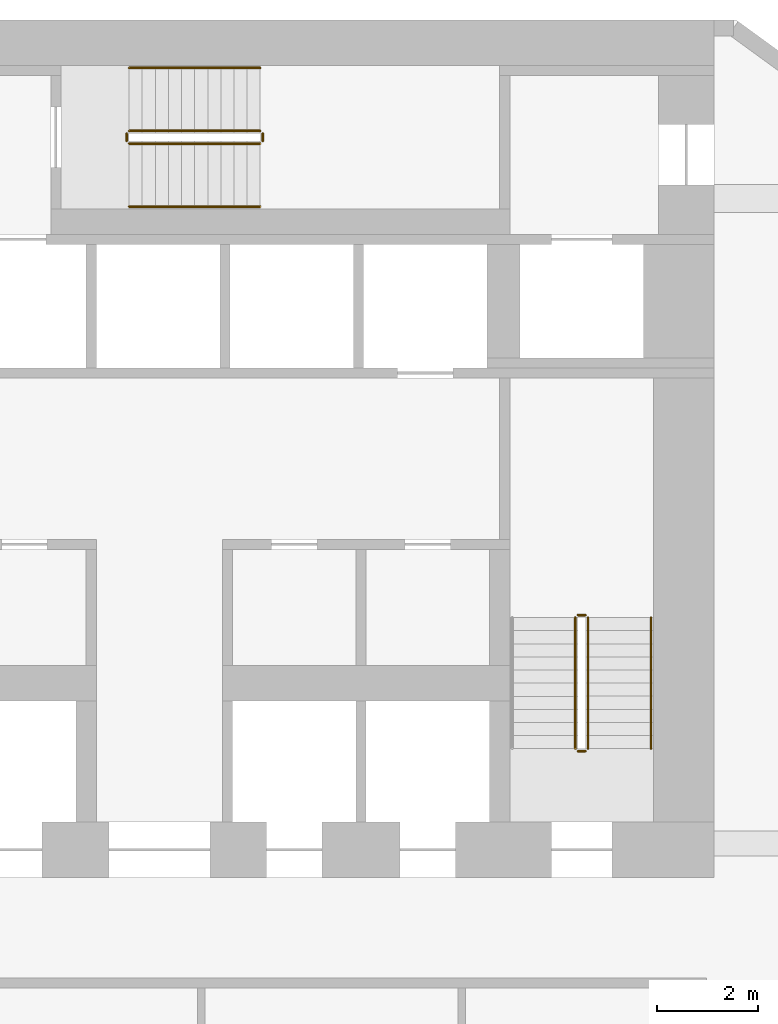
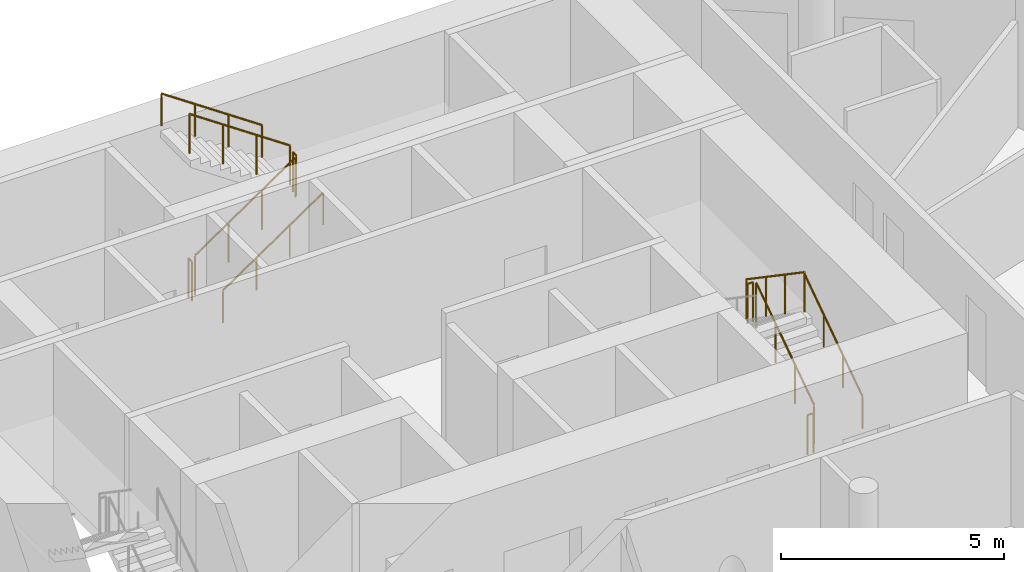
# One storey, part 9 of 9: 11 railings.
"""IFC4 building model written with IfcOpenShell, lengths in metres."""

from ifc_helpers import new_model, si_unit, direction, frame, origin, origin_2d, place, context, subcontext, project, spatial, circle, extrude, material, type_object, element, save


model = new_model("IFC4")

# Units and contexts
model_context = context("Model", 3, precision=1e-05, world=origin(), true_north=direction((0.0, 1.0)))
body_context = subcontext(model_context, "Body", "Model", "MODEL_VIEW")
ifc_project = project(units=[si_unit("LENGTHUNIT", "METRE"), si_unit("AREAUNIT", "SQUARE_METRE"), si_unit("VOLUMEUNIT", "CUBIC_METRE"), si_unit("PLANEANGLEUNIT", "RADIAN"), si_unit("MASSUNIT", "GRAM", prefix="KILO")], contexts=[model_context])

# Site, building, storey
site_placement = place(None, origin())
site = spatial("IfcSite", under=ifc_project, at=site_placement, CompositionType="ELEMENT")
building_placement = place(site_placement, origin())
building = spatial("IfcBuilding", under=site, at=building_placement, Name="White Candle Pilgrim Tower", CompositionType="ELEMENT")
storey_placement = place(building_placement, frame((0.0, 0.0, 94.699951171875)))
storey = spatial("IfcBuildingStorey", under=building, at=storey_placement, Name="L20", CompositionType="ELEMENT", Elevation=94.699951171875)

# Railings
ifc_material = material(Name="Stainless steel", Category="steel")
railing_type_1 = type_object("IfcRailingType", Name="Stair guard stainless steel 1100 mm", PredefinedType="GUARDRAIL", material=ifc_material)
railing_1_placement = place(storey_placement, frame((78.5, 73.550048828125, 0.17724609375)))
element("IfcRailing", 1, at=railing_1_placement, inside=storey, type_object=railing_type_1, Name="L20 ST2 stair guard 1", PredefinedType="GUARDRAIL", context=body_context, shape_type="SweptSolid", body=[
    extrude(circle(Radius=0.02392578125, at=origin_2d()), frame((0.0, 0.0, 1.076171875), z_axis=(0.0, 0.826215852431, 0.563353676824), x_axis=(-1.0, 0.0, 0.0)), (0.0, 0.0, 1.0), 3.146728515625),
    extrude(circle(Radius=0.02099609375, at=origin_2d()), origin(), (0.0, 0.0, 1.0), 1.052001953125),
    extrude(circle(Radius=0.02099609375, at=origin_2d()), frame((0.0, 0.86669921875, 0.5908203125)), (0.0, 0.0, 1.0), 1.052001953125),
    extrude(circle(Radius=0.02099609375, at=origin_2d()), frame((0.0, 1.733154296875, 1.181884765625)), (0.0, 0.0, 1.0), 1.052001953125),
    extrude(circle(Radius=0.02099609375, at=origin_2d()), frame((0.0, 2.599853515625, 1.772705078125)), (0.0, 0.0, 1.0), 1.052001953125),
])
railing_2_placement = place(storey_placement, frame((78.449951171875, 76.199951171875, 1.949951171875)))
element("IfcRailing", 2, at=railing_2_placement, inside=storey, type_object=railing_type_1, Name="L20 ST2 stair guard 2", PredefinedType="GUARDRAIL", context=body_context, shape_type="SweptSolid", body=[
    extrude(circle(Radius=0.02392578125, at=origin_2d()), frame((0.0, 0.0, 1.076171875), z_axis=(-1.0, 0.0, 0.0), x_axis=(0.0, -1.0, 0.0)), (0.0, 0.0, 1.0), 0.14990234375),
    extrude(circle(Radius=0.02099609375, at=origin_2d()), origin(), (0.0, 0.0, 1.0), 1.052001953125),
    extrude(circle(Radius=0.02099609375, at=origin_2d()), frame((-0.14990234375, 0.0, 0.0)), (0.0, 0.0, 1.0), 1.052001953125),
])
railing_3_placement = place(storey_placement, frame((78.25, 76.14990234375, 2.12744140625)))
element("IfcRailing", 3, at=railing_3_placement, inside=storey, type_object=railing_type_1, Name="L20 ST2 stair guard 3", PredefinedType="GUARDRAIL", context=body_context, shape_type="SweptSolid", body=[
    extrude(circle(Radius=0.02392578125, at=origin_2d()), frame((0.0, 0.0, 1.076171875), z_axis=(0.0, -0.826215852431, 0.563353676824), x_axis=(1.0, 0.0, 0.0)), (0.0, 0.0, 1.0), 3.146728515625),
    extrude(circle(Radius=0.02099609375, at=origin_2d()), origin(), (0.0, 0.0, 1.0), 1.052001953125),
    extrude(circle(Radius=0.02099609375, at=origin_2d()), frame((0.0, -0.86669921875, 0.5908203125)), (0.0, 0.0, 1.0), 1.052001953125),
    extrude(circle(Radius=0.02099609375, at=origin_2d()), frame((0.0, -1.733154296875, 1.181884765625)), (0.0, 0.0, 1.0), 1.052001953125),
    extrude(circle(Radius=0.02099609375, at=origin_2d()), frame((0.0, -2.599853515625, 1.772705078125)), (0.0, 0.0, 1.0), 1.052001953125),
])
railing_4_placement = place(storey_placement, frame((78.449951171875, 73.5, 0.0)))
element("IfcRailing", 4, at=railing_4_placement, inside=storey, type_object=railing_type_1, Name="L20 ST2 stair guard 4", PredefinedType="GUARDRAIL", context=body_context, shape_type="SweptSolid", body=[
    extrude(circle(Radius=0.02392578125, at=origin_2d()), frame((0.0, 0.0, 1.076171875), z_axis=(-1.0, 0.0, 0.0), x_axis=(0.0, -1.0, 0.0)), (0.0, 0.0, 1.0), 0.14990234375),
    extrude(circle(Radius=0.02099609375, at=origin_2d()), origin(), (0.0, 0.0, 1.0), 1.052001953125),
    extrude(circle(Radius=0.02099609375, at=origin_2d()), frame((-0.14990234375, 0.0, 0.0)), (0.0, 0.0, 1.0), 1.052001953125),
])
railing_5_placement = place(storey_placement, frame((69.39990234375, 85.550048828125, 0.17724609375)))
element("IfcRailing", 5, at=railing_5_placement, inside=storey, type_object=railing_type_1, Name="L20 ST3 stair guard 1", PredefinedType="GUARDRAIL", context=body_context, shape_type="SweptSolid", body=[
    extrude(circle(Radius=0.02392578125, at=origin_2d()), frame((0.0, 0.0, 1.076171875), z_axis=(0.826240473404, 0.0, 0.563317565952), x_axis=(0.0, 1.0, 0.0)), (0.0, 0.0, 1.0), 3.14697265625),
    extrude(circle(Radius=0.02099609375, at=origin_2d()), origin(), (0.0, 0.0, 1.0), 1.052001953125),
    extrude(circle(Radius=0.02099609375, at=origin_2d()), frame((0.86669921875, 0.0, 0.5908203125)), (0.0, 0.0, 1.0), 1.052001953125),
    extrude(circle(Radius=0.02099609375, at=origin_2d()), frame((1.7333984375, 0.0, 1.181884765625)), (0.0, 0.0, 1.0), 1.052001953125),
    extrude(circle(Radius=0.02099609375, at=origin_2d()), frame((2.60009765625, 0.0, 1.772705078125)), (0.0, 0.0, 1.0), 1.052001953125),
])
railing_6_placement = place(storey_placement, frame((72.050048828125, 85.60009765625, 1.949951171875)))
element("IfcRailing", 6, at=railing_6_placement, inside=storey, type_object=railing_type_1, Name="L20 ST3 stair guard 2", PredefinedType="GUARDRAIL", context=body_context, shape_type="SweptSolid", body=[
    extrude(circle(Radius=0.02392578125, at=origin_2d()), frame((0.0, 0.0, 1.076171875), z_axis=(0.0, 1.0, 0.0), x_axis=(-1.0, 0.0, 0.0)), (0.0, 0.0, 1.0), 0.14990234375),
    extrude(circle(Radius=0.02099609375, at=origin_2d()), origin(), (0.0, 0.0, 1.0), 1.052001953125),
    extrude(circle(Radius=0.02099609375, at=origin_2d()), frame((0.0, 0.14990234375, 0.0)), (0.0, 0.0, 1.0), 1.052001953125),
])
railing_7_placement = place(storey_placement, frame((72.0, 85.800048828125, 2.12744140625)))
element("IfcRailing", 7, at=railing_7_placement, inside=storey, type_object=railing_type_1, Name="L20 ST3 stair guard 3", PredefinedType="GUARDRAIL", context=body_context, shape_type="SweptSolid", body=[
    extrude(circle(Radius=0.02392578125, at=origin_2d()), frame((0.0, 0.0, 1.076171875), z_axis=(-0.826240473404, 0.0, 0.563317565952), x_axis=(0.0, -1.0, 0.0)), (0.0, 0.0, 1.0), 3.14697265625),
    extrude(circle(Radius=0.02099609375, at=origin_2d()), origin(), (0.0, 0.0, 1.0), 1.052001953125),
    extrude(circle(Radius=0.02099609375, at=origin_2d()), frame((-0.86669921875, 0.0, 0.5908203125)), (0.0, 0.0, 1.0), 1.052001953125),
    extrude(circle(Radius=0.02099609375, at=origin_2d()), frame((-1.7333984375, 0.0, 1.181884765625)), (0.0, 0.0, 1.0), 1.052001953125),
    extrude(circle(Radius=0.02099609375, at=origin_2d()), frame((-2.60009765625, 0.0, 1.772705078125)), (0.0, 0.0, 1.0), 1.052001953125),
])
railing_8_placement = place(storey_placement, frame((69.35009765625, 85.60009765625, 0.0)))
element("IfcRailing", 8, at=railing_8_placement, inside=storey, type_object=railing_type_1, Name="L20 ST3 stair guard 4", PredefinedType="GUARDRAIL", context=body_context, shape_type="SweptSolid", body=[
    extrude(circle(Radius=0.02392578125, at=origin_2d()), frame((0.0, 0.0, 1.076171875), z_axis=(0.0, 1.0, 0.0), x_axis=(-1.0, 0.0, 0.0)), (0.0, 0.0, 1.0), 0.14990234375),
    extrude(circle(Radius=0.02099609375, at=origin_2d()), origin(), (0.0, 0.0, 1.0), 1.052001953125),
    extrude(circle(Radius=0.02099609375, at=origin_2d()), frame((0.0, 0.14990234375, 0.0)), (0.0, 0.0, 1.0), 1.052001953125),
])
railing_type_2 = type_object("IfcRailingType", Name="Stair handrail stainless steel", PredefinedType="HANDRAIL", material=ifc_material)
railing_9_placement = place(storey_placement, frame((79.75, 73.550048828125, 0.17724609375)))
element("IfcRailing", 9, at=railing_9_placement, inside=storey, type_object=railing_type_2, Name="L20 ST2 stair handrail 1", PredefinedType="HANDRAIL", context=body_context, shape_type="SweptSolid", body=[
    extrude(circle(Radius=0.02392578125, at=origin_2d()), frame((0.0, 0.0, 0.8759765625), z_axis=(0.0, 0.826215852431, 0.563353676824), x_axis=(-1.0, 0.0, 0.0)), (0.0, 0.0, 1.0), 3.146728515625),
    extrude(circle(Radius=0.02099609375, at=origin_2d()), origin(), (0.0, 0.0, 1.0), 0.851806640625),
    extrude(circle(Radius=0.02099609375, at=origin_2d()), frame((0.0, 0.86669921875, 0.5908203125)), (0.0, 0.0, 1.0), 0.851806640625),
    extrude(circle(Radius=0.02099609375, at=origin_2d()), frame((0.0, 1.733154296875, 1.181884765625)), (0.0, 0.0, 1.0), 0.851806640625),
    extrude(circle(Radius=0.02099609375, at=origin_2d()), frame((0.0, 2.599853515625, 1.772705078125)), (0.0, 0.0, 1.0), 0.851806640625),
])
railing_10_placement = place(storey_placement, frame((69.39990234375, 84.300048828125, 0.17724609375)))
element("IfcRailing", 10, at=railing_10_placement, inside=storey, type_object=railing_type_2, Name="L20 ST3 stair handrail 1", PredefinedType="HANDRAIL", context=body_context, shape_type="SweptSolid", body=[
    extrude(circle(Radius=0.02392578125, at=origin_2d()), frame((0.0, 0.0, 0.8759765625), z_axis=(0.826240473404, 0.0, 0.563317565952), x_axis=(0.0, 1.0, 0.0)), (0.0, 0.0, 1.0), 3.14697265625),
    extrude(circle(Radius=0.02099609375, at=origin_2d()), origin(), (0.0, 0.0, 1.0), 0.851806640625),
    extrude(circle(Radius=0.02099609375, at=origin_2d()), frame((0.86669921875, 0.0, 0.5908203125)), (0.0, 0.0, 1.0), 0.851806640625),
    extrude(circle(Radius=0.02099609375, at=origin_2d()), frame((1.7333984375, 0.0, 1.181884765625)), (0.0, 0.0, 1.0), 0.851806640625),
    extrude(circle(Radius=0.02099609375, at=origin_2d()), frame((2.60009765625, 0.0, 1.772705078125)), (0.0, 0.0, 1.0), 0.851806640625),
])
railing_11_placement = place(storey_placement, frame((72.0, 87.050048828125, 2.12744140625)))
element("IfcRailing", 11, at=railing_11_placement, inside=storey, type_object=railing_type_2, Name="L20 ST3 stair handrail 2", PredefinedType="HANDRAIL", context=body_context, shape_type="SweptSolid", body=[
    extrude(circle(Radius=0.02392578125, at=origin_2d()), frame((0.0, 0.0, 0.8759765625), z_axis=(-0.826240473404, 0.0, 0.563317565952), x_axis=(0.0, -1.0, 0.0)), (0.0, 0.0, 1.0), 3.14697265625),
    extrude(circle(Radius=0.02099609375, at=origin_2d()), origin(), (0.0, 0.0, 1.0), 0.851806640625),
    extrude(circle(Radius=0.02099609375, at=origin_2d()), frame((-0.86669921875, 0.0, 0.5908203125)), (0.0, 0.0, 1.0), 0.851806640625),
    extrude(circle(Radius=0.02099609375, at=origin_2d()), frame((-1.7333984375, 0.0, 1.181884765625)), (0.0, 0.0, 1.0), 0.851806640625),
    extrude(circle(Radius=0.02099609375, at=origin_2d()), frame((-2.60009765625, 0.0, 1.772705078125)), (0.0, 0.0, 1.0), 0.851806640625),
])

save(model, "model.ifc")
